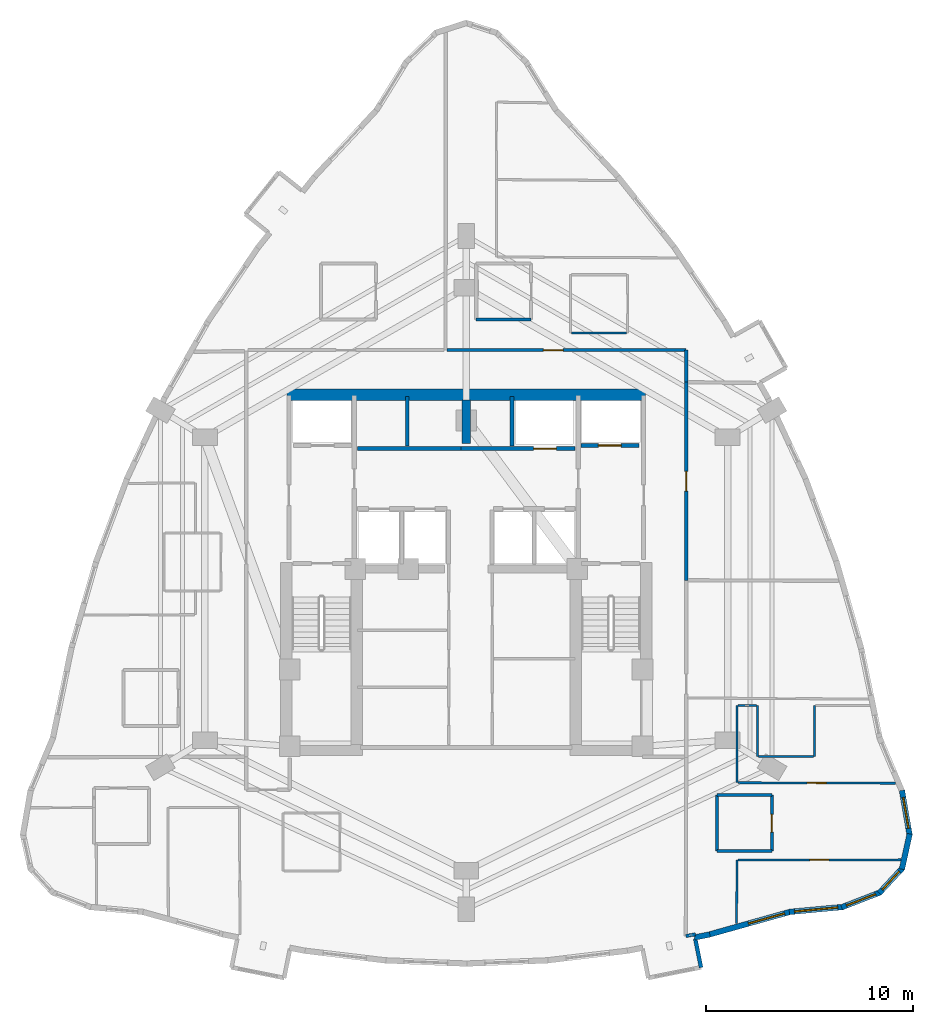
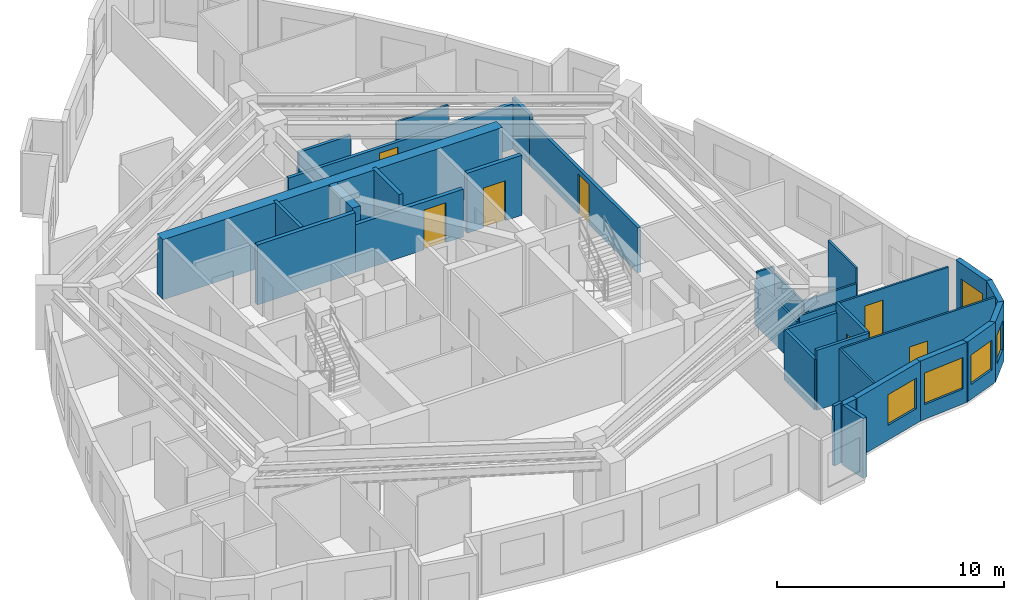
# One storey, part 8 of 11: 33 walls, 7 doors, 5 windows, 12 openings.
"""IFC4 building model written with IfcOpenShell, lengths in metres."""

from ifc_helpers import new_model, si_unit, direction, frame, frame_2d, origin, place, context, subcontext, project, spatial, rectangle, extrude, material, layer, layer_set, type_object, element, fill, save


model = new_model("IFC4")

# Units and contexts
model_context = context("Model", 3, precision=1e-05, world=origin(), true_north=direction((0.0, 1.0)))
body_context = subcontext(model_context, "Body", "Model", "MODEL_VIEW")
ifc_project = project(units=[si_unit("LENGTHUNIT", "METRE"), si_unit("AREAUNIT", "SQUARE_METRE"), si_unit("VOLUMEUNIT", "CUBIC_METRE"), si_unit("PLANEANGLEUNIT", "RADIAN"), si_unit("MASSUNIT", "GRAM", prefix="KILO")], contexts=[model_context])

# Site, building, storey
site_placement = place(None, origin())
site = spatial("IfcSite", under=ifc_project, at=site_placement, CompositionType="ELEMENT")
building_placement = place(site_placement, origin())
building = spatial("IfcBuilding", under=site, at=building_placement, Name="Miruveldt Soraemaru", CompositionType="ELEMENT")
storey_placement = place(building_placement, frame((0.0, 0.0, 156.39990234375)))
storey = spatial("IfcBuildingStorey", under=building, at=storey_placement, Name="L43", CompositionType="ELEMENT", Elevation=156.39990234375)

# Walls
ifc_material_1 = material(Name="White powder-coated aluminium EN AW-6060 T6", Category="aluminium")
ifc_layer_1 = layer(ifc_material_1, 0.18994140625, Name="White powder-coated aluminium EN AW-6060 T6", Category="aluminium")
ifc_layer_set_1 = layer_set([ifc_layer_1], Name="White powder-coated aluminium EN AW-6060 T6")
wall_type_1 = type_object("IfcWallType", Name="WALL-BAY-ALU190", PredefinedType="SOLIDWALL", material=ifc_layer_set_1)
wall_1_placement = place(storey_placement, frame((55.319091796875, 24.8408203125, 0.0), z_axis=(0.0, 0.0, 1.0), x_axis=(-0.195984352603, 0.980607022989, 0.0)))
element("IfcWall", 1, at=wall_1_placement, inside=storey, type_object=wall_type_1, Name="L43 Bay Window Side Cheek 2R", PredefinedType="SOLIDWALL", context=body_context, shape_type="SweptSolid", body=[
    extrude(rectangle(XDim=1.425048828125, YDim=0.18994140625, at=frame_2d((0.71240234375, 0.0))), origin(), (0.0, 0.0, 1.0), 3.235107421875),
])
ifc_material_2 = material(Name="Concrete C70/85 (70 MPa)", Category="concrete")
ifc_layer_2 = layer(ifc_material_2, 0.5, Name="Concrete C70/85 (70 MPa)", Category="concrete")
ifc_layer_set_2 = layer_set([ifc_layer_2], Name="Concrete C70/85 (70 MPa)")
wall_type_2 = type_object("IfcWallType", Name="WALL-BW-500", PredefinedType="SHEAR", material=ifc_layer_set_2)
wall_2_placement = place(storey_placement, frame((44.0, 50.10009765625, 0.0), z_axis=(0.0, 0.0, 1.0), x_axis=(0.0, 1.0, 0.0)))
element("IfcWall", 2, at=wall_2_placement, inside=storey, type_object=wall_type_2, Name="L43 Core Buttress Shear Wall BN", PredefinedType="SHEAR", context=body_context, shape_type="SweptSolid", body=[
    extrude(rectangle(XDim=2.099853515625, YDim=0.39990234375, at=frame_2d((1.0498046875, 0.0))), origin(), (0.0, 0.0, 1.0), 3.235107421875),
])
ifc_layer_3 = layer(ifc_material_2, 0.550048828125, Name="Concrete C70/85 (70 MPa)", Category="concrete")
ifc_layer_set_3 = layer_set([ifc_layer_3], Name="Concrete C70/85 (70 MPa)")
wall_type_3 = type_object("IfcWallType", Name="WALL-CW-550", PredefinedType="SHEAR", material=ifc_layer_set_3)
wall_3_placement = place(storey_placement, frame((35.35009765625, 52.449951171875, 0.0), z_axis=(0.0, 0.0, 1.0), x_axis=(1.0, 0.0, 0.0)))
element("IfcWall", 3, at=wall_3_placement, inside=storey, type_object=wall_type_3, Name="L43 Central Core Shear Wall N", PredefinedType="SHEAR", context=body_context, shape_type="SweptSolid", body=[
    extrude(rectangle(XDim=17.2998046875, YDim=0.550048828125, at=frame_2d((8.64990234375, 0.0))), origin(), (0.0, 0.0, 1.0), 3.235107421875),
])
ifc_material_3 = material(Name="Precast concrete C45/55 (45 MPa)", Category="concrete")
ifc_layer_4 = layer(ifc_material_3, 0.27001953125, Name="Precast concrete C45/55 (45 MPa)", Category="concrete")
ifc_layer_set_4 = layer_set([ifc_layer_4], Name="Precast concrete C45/55 (45 MPa)")
wall_type_4 = type_object("IfcWallType", Name="WALL-EXT-PC270", PredefinedType="SOLIDWALL", material=ifc_layer_set_4)
wall_4_placement = place(storey_placement, frame((54.99951171875, 26.286376953125, 0.0), z_axis=(0.0, 0.0, 1.0), x_axis=(0.980580675691, 0.196116135138, 0.0)))
element("IfcWall", 4, at=wall_4_placement, inside=storey, type_object=wall_type_4, Name="L43 Precast Pier Wall 27B", PredefinedType="SOLIDWALL", context=body_context, shape_type="SweptSolid", body=[
    extrude(rectangle(XDim=0.75439453125, YDim=0.27001953125, at=frame_2d((0.377197265625, 0.0))), origin(), (0.0, 0.0, 1.0), 3.235107421875),
])

# Wall, opening, window
wall_5_placement = place(storey_placement, frame((55.67138671875, 26.41796875, 0.0), z_axis=(0.0, 0.0, 1.0), x_axis=(0.962963404524, 0.269632122618, 0.0)))
wall_5 = element("IfcWall", 5, at=wall_5_placement, inside=storey, type_object=wall_type_4, Name="L43 Precast Concrete Facade Wall 28", PredefinedType="SOLIDWALL", context=body_context, shape_type="SweptSolid", body=[
    extrude(rectangle(XDim=4.12158203125, YDim=0.27001953125, at=frame_2d((2.060791015625, 0.0))), origin(), (0.0, 0.0, 1.0), 3.235107421875),
])
opening_1_placement = place(wall_5_placement, frame((2.008056640625, 0.0, 0.800048828125)))
opening_1 = element("IfcOpeningElement", 6, at=opening_1_placement, cuts=wall_5, Name="Opening WN-2", PredefinedType="OPENING", context=body_context, shape_type="SweptSolid", body=[
    extrude(rectangle(XDim=1.800048828125, YDim=1.64990234375, at=frame_2d((0.89990234375, 0.824951171875))), frame((0.0, 0.14501953125, 0.0), z_axis=(0.0, -1.0, 0.0), x_axis=(1.0, 0.0, 0.0)), (0.0, 0.0, 1.0), 0.2900390625),
])
ifc_material_4 = material(Name="Triple low-e insulated glazing", Category="glass")
window_type_1 = type_object("IfcWindowType", Name="WIN-PUNCH-1800x1650", PartitioningType="SINGLE_PANEL", PredefinedType="WINDOW", material=ifc_material_4)
window_1_placement = place(opening_1_placement, origin())
window_1 = element("IfcWindow", 7, at=window_1_placement, inside=storey, type_object=window_type_1, Name="L43 Punched Triple-Glazed Window 28.1", OverallHeight=1.64990234375, OverallWidth=1.800048828125, PartitioningType="SINGLE_PANEL", PredefinedType="WINDOW", context=body_context, shape_type="SweptSolid", body=[
    extrude(rectangle(XDim=1.800048828125, YDim=1.64990234375, at=frame_2d((0.89990234375, 0.824951171875))), frame((0.0, 0.030029296875, 0.0), z_axis=(0.0, -1.0, 0.0), x_axis=(1.0, 0.0, 0.0)), (0.0, 0.0, 1.0), 0.06005859375),
])
fill(opening_1, window_1)

wall_6_placement = place(storey_placement, frame((59.57177734375, 27.5166015625, 0.0), z_axis=(0.0, 0.0, 1.0), x_axis=(0.99576139122, 0.091974190706, 0.0)))
wall_6 = element("IfcWall", 8, at=wall_6_placement, inside=storey, type_object=wall_type_4, Name="L43 Precast Concrete Facade Wall 29", PredefinedType="SOLIDWALL", context=body_context, shape_type="SweptSolid", body=[
    extrude(rectangle(XDim=2.601318359375, YDim=0.27001953125, at=frame_2d((1.30078125, 0.0))), origin(), (0.0, 0.0, 1.0), 3.235107421875),
])
opening_2_placement = place(wall_6_placement, frame((0.2509765625, 0.0, 0.800048828125)))
opening_2 = element("IfcOpeningElement", 9, at=opening_2_placement, cuts=wall_6, Name="Opening WN-1", PredefinedType="OPENING", context=body_context, shape_type="SweptSolid", body=[
    extrude(rectangle(XDim=2.10009765625, YDim=1.699951171875, at=frame_2d((1.050048828125, 0.85009765625))), frame((0.0, 0.14501953125, 0.0), z_axis=(0.0, -1.0, 0.0), x_axis=(1.0, 0.0, 0.0)), (0.0, 0.0, 1.0), 0.2900390625),
])
window_type_2 = type_object("IfcWindowType", Name="WIN-PUNCH-2100x1700", PartitioningType="SINGLE_PANEL", PredefinedType="WINDOW", material=ifc_material_4)
window_2_placement = place(opening_2_placement, origin())
window_2 = element("IfcWindow", 10, at=window_2_placement, inside=storey, type_object=window_type_2, Name="L43 Punched Triple-Glazed Window 29.1", OverallHeight=1.699951171875, OverallWidth=2.10009765625, PartitioningType="SINGLE_PANEL", PredefinedType="WINDOW", context=body_context, shape_type="SweptSolid", body=[
    extrude(rectangle(XDim=2.10009765625, YDim=1.699951171875, at=frame_2d((1.050048828125, 0.85009765625))), frame((0.0, 0.030029296875, 0.0), z_axis=(0.0, -1.0, 0.0), x_axis=(1.0, 0.0, 0.0)), (0.0, 0.0, 1.0), 0.06005859375),
])
fill(opening_2, window_2)

wall_7_placement = place(storey_placement, frame((62.0947265625, 27.739990234375, 0.0), z_axis=(0.0, 0.0, 1.0), x_axis=(0.932288278252, 0.361716140411, 0.0)))
wall_7 = element("IfcWall", 11, at=wall_7_placement, inside=storey, type_object=wall_type_4, Name="L43 Precast Concrete Facade Wall 30", PredefinedType="SOLIDWALL", context=body_context, shape_type="SweptSolid", body=[
    extrude(rectangle(XDim=2.001220703125, YDim=0.27001953125, at=frame_2d((1.00048828125, 0.0))), origin(), (0.0, 0.0, 1.0), 3.235107421875),
])
opening_3_placement = place(wall_7_placement, frame((0.25, 0.0, 0.800048828125)))
opening_3 = element("IfcOpeningElement", 12, at=opening_3_placement, cuts=wall_7, Name="Opening WN-3", PredefinedType="OPENING", context=body_context, shape_type="SweptSolid", body=[
    extrude(rectangle(XDim=1.5, YDim=1.60009765625, at=frame_2d((0.75, 0.800048828125))), frame((0.0, 0.14501953125, 0.0), z_axis=(0.0, -1.0, 0.0), x_axis=(1.0, 0.0, 0.0)), (0.0, 0.0, 1.0), 0.2900390625),
])
window_type_3 = type_object("IfcWindowType", Name="WIN-PUNCH-1500x1600", PartitioningType="SINGLE_PANEL", PredefinedType="WINDOW", material=ifc_material_4)
window_3_placement = place(opening_3_placement, origin())
window_3 = element("IfcWindow", 13, at=window_3_placement, inside=storey, type_object=window_type_3, Name="L43 Punched Triple-Glazed Window 30.1", OverallHeight=1.60009765625, OverallWidth=1.5, PartitioningType="SINGLE_PANEL", PredefinedType="WINDOW", context=body_context, shape_type="SweptSolid", body=[
    extrude(rectangle(XDim=1.5, YDim=1.60009765625, at=frame_2d((0.75, 0.800048828125))), frame((0.0, 0.030029296875, 0.0), z_axis=(0.0, -1.0, 0.0), x_axis=(1.0, 0.0, 0.0)), (0.0, 0.0, 1.0), 0.06005859375),
])
fill(opening_3, window_3)

wall_8_placement = place(storey_placement, frame((63.904052734375, 28.425537109375, 0.0), z_axis=(0.0, 0.0, 1.0), x_axis=(0.680185643982, 0.733039896404, 0.0)))
wall_8 = element("IfcWall", 14, at=wall_8_placement, inside=storey, type_object=wall_type_4, Name="L43 Precast Concrete Facade Wall 31", PredefinedType="SOLIDWALL", context=body_context, shape_type="SweptSolid", body=[
    extrude(rectangle(XDim=1.658203125, YDim=0.27001953125, at=frame_2d((0.8291015625, 0.0))), origin(), (0.0, 0.0, 1.0), 3.235107421875),
])
opening_4_placement = place(wall_8_placement, frame((0.22412109375, 0.0, 0.780029296875)))
opening_4 = element("IfcOpeningElement", 15, at=opening_4_placement, cuts=wall_8, Name="Opening WN-4", PredefinedType="OPENING", context=body_context, shape_type="SweptSolid", body=[
    extrude(rectangle(XDim=1.199951171875, YDim=1.550048828125, at=frame_2d((0.60009765625, 0.77490234375))), frame((0.0, 0.14501953125, 0.0), z_axis=(0.0, -1.0, 0.0), x_axis=(1.0, 0.0, 0.0)), (0.0, 0.0, 1.0), 0.2900390625),
])
window_type_4 = type_object("IfcWindowType", Name="WIN-PUNCH-1200x1550", PartitioningType="SINGLE_PANEL", PredefinedType="WINDOW", material=ifc_material_4)
window_4_placement = place(opening_4_placement, origin())
window_4 = element("IfcWindow", 16, at=window_4_placement, inside=storey, type_object=window_type_4, Name="L43 Punched Triple-Glazed Window 31.1", OverallHeight=1.550048828125, OverallWidth=1.199951171875, PartitioningType="SINGLE_PANEL", PredefinedType="WINDOW", context=body_context, shape_type="SweptSolid", body=[
    extrude(rectangle(XDim=1.199951171875, YDim=1.550048828125, at=frame_2d((0.60009765625, 0.77490234375))), frame((0.0, 0.030029296875, 0.0), z_axis=(0.0, -1.0, 0.0), x_axis=(1.0, 0.0, 0.0)), (0.0, 0.0, 1.0), 0.06005859375),
])
fill(opening_4, window_4)

# Wall
wall_9_placement = place(storey_placement, frame((65.00048828125, 29.581298828125, 0.0), z_axis=(0.0, 0.0, 1.0), x_axis=(0.215756106761, 0.97644728603, 0.0)))
element("IfcWall", 17, at=wall_9_placement, inside=storey, type_object=wall_type_4, Name="L43 Precast Concrete Facade Wall 32", PredefinedType="SOLIDWALL", context=body_context, shape_type="SweptSolid", body=[
    extrude(rectangle(XDim=1.7392578125, YDim=0.27001953125, at=frame_2d((0.86962890625, 0.0))), origin(), (0.0, 0.0, 1.0), 3.235107421875),
])

# Wall, opening, window
wall_10_placement = place(storey_placement, frame((65.3740234375, 31.2109375, 0.0), z_axis=(0.0, 0.0, 1.0), x_axis=(-0.169300112967, 0.98556454469, 0.0)))
wall_10 = element("IfcWall", 18, at=wall_10_placement, inside=storey, type_object=wall_type_4, Name="L43 Precast Concrete Facade Wall 33", PredefinedType="SOLIDWALL", context=body_context, shape_type="SweptSolid", body=[
    extrude(rectangle(XDim=2.1962890625, YDim=0.27001953125, at=frame_2d((1.09814453125, 0.0))), origin(), (0.0, 0.0, 1.0), 3.235107421875),
])
opening_5_placement = place(wall_10_placement, frame((0.347900390625, 0.0, 0.800048828125)))
opening_5 = element("IfcOpeningElement", 19, at=opening_5_placement, cuts=wall_10, Name="Opening WN-3", PredefinedType="OPENING", context=body_context, shape_type="SweptSolid", body=[
    extrude(rectangle(XDim=1.5, YDim=1.60009765625, at=frame_2d((0.75, 0.800048828125))), frame((0.0, 0.14501953125, 0.0), z_axis=(0.0, -1.0, 0.0), x_axis=(1.0, 0.0, 0.0)), (0.0, 0.0, 1.0), 0.2900390625),
])
window_5_placement = place(opening_5_placement, origin())
window_5 = element("IfcWindow", 20, at=window_5_placement, inside=storey, type_object=window_type_3, Name="L43 Punched Triple-Glazed Window 33.1", OverallHeight=1.60009765625, OverallWidth=1.5, PartitioningType="SINGLE_PANEL", PredefinedType="WINDOW", context=body_context, shape_type="SweptSolid", body=[
    extrude(rectangle(XDim=1.5, YDim=1.60009765625, at=frame_2d((0.75, 0.800048828125))), frame((0.0, 0.030029296875, 0.0), z_axis=(0.0, -1.0, 0.0), x_axis=(1.0, 0.0, 0.0)), (0.0, 0.0, 1.0), 0.06005859375),
])
fill(opening_5, window_5)

# Wall, opening, door
ifc_material_5 = material(Name="Gypsum plasterboard lining", Category="gypsum")
ifc_layer_5 = layer(ifc_material_5, 0.10009765625, Name="Gypsum plasterboard lining", Category="gypsum")
ifc_layer_set_5 = layer_set([ifc_layer_5], Name="Gypsum plasterboard lining")
wall_type_5 = type_object("IfcWallType", Name="WALL-INT-P100", PredefinedType="PARTITIONING", material=ifc_layer_set_5)
wall_11_placement = place(storey_placement, frame((57.10009765625, 30.01708984375, 0.0), z_axis=(0.0, 0.0, 1.0), x_axis=(0.999998199017, 0.001897884015, 0.0)))
wall_11 = element("IfcWall", 21, at=wall_11_placement, inside=storey, type_object=wall_type_5, Name="L43 Partition Wall 53", PredefinedType="PARTITIONING", context=body_context, shape_type="SweptSolid", body=[
    extrude(rectangle(XDim=7.846923828125, YDim=0.10009765625, at=frame_2d((3.92333984375, 0.0))), origin(), (0.0, 0.0, 1.0), 3.235107421875),
])
opening_6_placement = place(wall_11_placement, frame((3.464111328125, 0.0, 0.0)))
opening_6 = element("IfcOpeningElement", 22, at=opening_6_placement, cuts=wall_11, Name="Opening D3A", PredefinedType="OPENING", context=body_context, shape_type="SweptSolid", body=[
    extrude(rectangle(XDim=0.919921875, YDim=2.10009765625, at=frame_2d((0.4599609375, 1.050048828125))), frame((0.0, 0.06005859375, 0.0), z_axis=(0.0, -1.0, 0.0), x_axis=(1.0, 0.0, 0.0)), (0.0, 0.0, 1.0), 0.1201171875),
])
ifc_material_6 = material(Name="Anodised aluminium EN AW-6063 T6", Category="aluminium")
door_type_1 = type_object("IfcDoorType", Name="DOOR-INT-920", OperationType="NOTDEFINED", PredefinedType="DOOR", material=ifc_material_6)
door_1_placement = place(opening_6_placement, origin())
door_1 = element("IfcDoor", 23, at=door_1_placement, inside=storey, type_object=door_type_1, Name="L43 Unit 4305 BD1 Door", OperationType="SINGLE_SWING_LEFT", OverallHeight=2.10009765625, OverallWidth=0.919921875, PredefinedType="DOOR", context=body_context, shape_type="SweptSolid", body=[
    extrude(rectangle(XDim=0.919921875, YDim=2.10009765625, at=frame_2d((0.4599609375, 1.050048828125))), frame((0.0, 0.02490234375, 0.0), z_axis=(0.0, -1.0, 0.0), x_axis=(1.0, 0.0, 0.0)), (0.0, 0.0, 1.0), 0.050048828125),
])
fill(opening_6, door_1)

wall_12_placement = place(storey_placement, frame((64.68603515625, 33.719970703125, 0.0), z_axis=(0.0, 0.0, 1.0), x_axis=(-0.999993619226, 0.0035723253, 0.0)))
wall_12 = element("IfcWall", 24, at=wall_12_placement, inside=storey, type_object=wall_type_5, Name="L43 Partition Wall 54", PredefinedType="PARTITIONING", context=body_context, shape_type="SweptSolid", body=[
    extrude(rectangle(XDim=7.5859375, YDim=0.10009765625, at=frame_2d((3.79296875, 0.0))), origin(), (0.0, 0.0, 1.0), 2.72314453125),
])
opening_7_placement = place(wall_12_placement, frame((3.3330078125, 0.0, 0.0)))
opening_7 = element("IfcOpeningElement", 25, at=opening_7_placement, cuts=wall_12, Name="Opening D3A", PredefinedType="OPENING", context=body_context, shape_type="SweptSolid", body=[
    extrude(rectangle(XDim=0.919921875, YDim=2.10009765625, at=frame_2d((0.4599609375, 1.050048828125))), frame((0.0, 0.06005859375, 0.0), z_axis=(0.0, -1.0, 0.0), x_axis=(1.0, 0.0, 0.0)), (0.0, 0.0, 1.0), 0.1201171875),
])
door_2_placement = place(opening_7_placement, origin())
door_2 = element("IfcDoor", 26, at=door_2_placement, inside=storey, type_object=door_type_1, Name="L43 Unit 4305 EXT Door", OperationType="SINGLE_SWING_RIGHT", OverallHeight=2.10009765625, OverallWidth=0.919921875, PredefinedType="DOOR", context=body_context, shape_type="SweptSolid", body=[
    extrude(rectangle(XDim=0.919921875, YDim=2.10009765625, at=frame_2d((0.4599609375, 1.050048828125))), frame((0.0, 0.02490234375, 0.0), z_axis=(0.0, -1.0, 0.0), x_axis=(1.0, 0.0, 0.0)), (0.0, 0.0, 1.0), 0.050048828125),
])
fill(opening_7, door_2)

# Walls
wall_13_placement = place(storey_placement, frame((57.050048828125, 33.7470703125, 0.0), z_axis=(0.0, 0.0, 1.0), x_axis=(0.0, 1.0, 0.0)))
element("IfcWall", 27, at=wall_13_placement, inside=storey, type_object=wall_type_5, Name="L43 Partition Wall 55", PredefinedType="PARTITIONING", context=body_context, shape_type="SweptSolid", body=[
    extrude(rectangle(XDim=3.72900390625, YDim=0.10009765625, at=frame_2d((1.864501953125, 0.0))), origin(), (0.0, 0.0, 1.0), 2.423095703125),
])
wall_14_placement = place(storey_placement, frame((57.031005859375, 26.9541015625, 0.0), z_axis=(0.0, 0.0, 1.0), x_axis=(0.006217000844, 0.999980674264, 0.0)))
element("IfcWall", 28, at=wall_14_placement, inside=storey, type_object=wall_type_5, Name="L43 Partition Wall 52", PredefinedType="PARTITIONING", context=body_context, shape_type="SweptSolid", body=[
    extrude(rectangle(XDim=3.06298828125, YDim=0.10009765625, at=frame_2d((1.531494140625, 0.0))), origin(), (0.0, 0.0, 1.0), 3.235107421875),
])
wall_15_placement = place(storey_placement, frame((49.0810546875, 55.429931640625, 0.0), z_axis=(0.0, 0.0, 1.0), x_axis=(1.0, 0.0, 0.0)))
element("IfcWall", 29, at=wall_15_placement, inside=storey, type_object=wall_type_5, Name="L43 Partition Wall 24", PredefinedType="PARTITIONING", context=body_context, shape_type="SweptSolid", body=[
    extrude(rectangle(XDim=2.64990234375, YDim=0.10009765625, at=frame_2d((1.324951171875, 0.0))), origin(), (0.0, 0.0, 1.0), 2.822998046875),
])
wall_16_placement = place(storey_placement, frame((58.080078125, 35.010009765625, 0.0), z_axis=(0.0, 0.0, 1.0), x_axis=(1.0, 0.0, 0.0)))
element("IfcWall", 30, at=wall_16_placement, inside=storey, type_object=wall_type_5, Name="L43 Partition Wall 60", PredefinedType="PARTITIONING", context=body_context, shape_type="SweptSolid", body=[
    extrude(rectangle(XDim=2.64990234375, YDim=0.10009765625, at=frame_2d((1.324951171875, 0.0))), origin(), (0.0, 0.0, 1.0), 2.423095703125),
])
wall_17_placement = place(storey_placement, frame((58.030029296875, 37.47607421875, 0.0), z_axis=(0.0, 0.0, 1.0), x_axis=(0.0, -1.0, 0.0)))
element("IfcWall", 31, at=wall_17_placement, inside=storey, type_object=wall_type_5, Name="L43 Partition Wall 59", PredefinedType="PARTITIONING", context=body_context, shape_type="SweptSolid", body=[
    extrude(rectangle(XDim=2.466064453125, YDim=0.10009765625, at=frame_2d((1.23291015625, 0.0))), origin(), (0.0, 0.0, 1.0), 2.423095703125),
])
wall_18_placement = place(storey_placement, frame((60.780029296875, 35.010009765625, 0.0), z_axis=(0.0, 0.0, 1.0), x_axis=(0.0, 1.0, 0.0)))
element("IfcWall", 32, at=wall_18_placement, inside=storey, type_object=wall_type_5, Name="L43 Partition Wall 61", PredefinedType="PARTITIONING", context=body_context, shape_type="SweptSolid", body=[
    extrude(rectangle(XDim=2.466064453125, YDim=0.10009765625, at=frame_2d((1.23291015625, 0.0))), origin(), (0.0, 0.0, 1.0), 3.235107421875),
])
wall_19_placement = place(storey_placement, frame((57.10009765625, 37.47607421875, 0.0), z_axis=(0.0, 0.0, 1.0), x_axis=(1.0, 0.0, 0.0)))
element("IfcWall", 33, at=wall_19_placement, inside=storey, type_object=wall_type_5, Name="L43 Partition Wall 56", PredefinedType="PARTITIONING", context=body_context, shape_type="SweptSolid", body=[
    extrude(rectangle(XDim=0.8798828125, YDim=0.10009765625, at=frame_2d((0.43994140625, 0.0))), origin(), (0.0, 0.0, 1.0), 2.822998046875),
])

# Wall, opening, door
ifc_layer_6 = layer(ifc_material_5, 0.14990234375, Name="Gypsum plasterboard lining", Category="gypsum")
ifc_layer_set_6 = layer_set([ifc_layer_6], Name="Gypsum plasterboard lining")
wall_type_6 = type_object("IfcWallType", Name="WALL-INT-PLUMB", PredefinedType="PLUMBINGWALL", material=ifc_layer_set_6)
wall_20_placement = place(storey_placement, frame((58.72998046875, 30.4599609375, 0.0), z_axis=(0.0, 0.0, 1.0), x_axis=(0.0, 1.0, 0.0)))
wall_20 = element("IfcWall", 34, at=wall_20_placement, inside=storey, type_object=wall_type_6, Name="L43 Partition Wall 47", PredefinedType="PLUMBINGWALL", context=body_context, shape_type="SweptSolid", body=[
    extrude(rectangle(XDim=2.699951171875, YDim=0.14990234375, at=frame_2d((1.35009765625, 0.0))), origin(), (0.0, 0.0, 1.0), 3.235107421875),
])
opening_8_placement = place(wall_20_placement, frame((0.909912109375, 0.0, 0.0)))
opening_8 = element("IfcOpeningElement", 35, at=opening_8_placement, cuts=wall_20, Name="Opening FD3", PredefinedType="OPENING", context=body_context, shape_type="SweptSolid", body=[
    extrude(rectangle(XDim=0.85009765625, YDim=2.10009765625, at=frame_2d((0.425048828125, 1.050048828125))), frame((0.0, 0.0849609375, 0.0), z_axis=(0.0, -1.0, 0.0), x_axis=(1.0, 0.0, 0.0)), (0.0, 0.0, 1.0), 0.169921875),
])
door_type_2 = type_object("IfcDoorType", Name="DOOR-FD3-850", OperationType="NOTDEFINED", PredefinedType="DOOR", material=ifc_material_6)
door_3_placement = place(opening_8_placement, origin())
door_3 = element("IfcDoor", 36, at=door_3_placement, inside=storey, type_object=door_type_2, Name="L43 Unit 4305 BTH Door", OperationType="SINGLE_SWING_LEFT", OverallHeight=2.10009765625, OverallWidth=0.85009765625, PredefinedType="DOOR", context=body_context, shape_type="SweptSolid", body=[
    extrude(rectangle(XDim=0.85009765625, YDim=2.10009765625, at=frame_2d((0.425048828125, 1.050048828125))), frame((0.0, 0.02490234375, 0.0), z_axis=(0.0, -1.0, 0.0), x_axis=(1.0, 0.0, 0.0)), (0.0, 0.0, 1.0), 0.050048828125),
])
fill(opening_8, door_3)

# Walls
wall_21_placement = place(storey_placement, frame((56.080078125, 33.159912109375, 0.0), z_axis=(0.0, 0.0, 1.0), x_axis=(0.0, -1.0, 0.0)))
element("IfcWall", 37, at=wall_21_placement, inside=storey, type_object=wall_type_6, Name="L43 Partition Wall 49", PredefinedType="PLUMBINGWALL", context=body_context, shape_type="SweptSolid", body=[
    extrude(rectangle(XDim=2.699951171875, YDim=0.14990234375, at=frame_2d((1.35009765625, 0.0))), origin(), (0.0, 0.0, 1.0), 2.72314453125),
])
wall_22_placement = place(storey_placement, frame((44.48095703125, 56.080078125, 0.0), z_axis=(0.0, 0.0, 1.0), x_axis=(1.0, 0.0, 0.0)))
element("IfcWall", 38, at=wall_22_placement, inside=storey, type_object=wall_type_6, Name="L43 Partition Wall 20", PredefinedType="PLUMBINGWALL", context=body_context, shape_type="SweptSolid", body=[
    extrude(rectangle(XDim=2.650146484375, YDim=0.14990234375, at=frame_2d((1.3251953125, 0.0))), origin(), (0.0, 0.0, 1.0), 2.423095703125),
])
wall_23_placement = place(storey_placement, frame((58.72998046875, 33.159912109375, 0.0), z_axis=(0.0, 0.0, 1.0), x_axis=(-1.0, 0.0, 0.0)))
element("IfcWall", 39, at=wall_23_placement, inside=storey, type_object=wall_type_6, Name="L43 Partition Wall 48", PredefinedType="PLUMBINGWALL", context=body_context, shape_type="SweptSolid", body=[
    extrude(rectangle(XDim=2.64990234375, YDim=0.14990234375, at=frame_2d((1.324951171875, 0.0))), origin(), (0.0, 0.0, 1.0), 2.72314453125),
])
wall_24_placement = place(storey_placement, frame((56.080078125, 30.4599609375, 0.0), z_axis=(0.0, 0.0, 1.0), x_axis=(1.0, 0.0, 0.0)))
element("IfcWall", 40, at=wall_24_placement, inside=storey, type_object=wall_type_6, Name="L43 Partition Wall 50", PredefinedType="PLUMBINGWALL", context=body_context, shape_type="SweptSolid", body=[
    extrude(rectangle(XDim=2.64990234375, YDim=0.14990234375, at=frame_2d((1.324951171875, 0.0))), origin(), (0.0, 0.0, 1.0), 3.235107421875),
])

# Wall, opening, door
ifc_material_7 = material(Name="Concrete C40/50 (40 MPa)", Category="concrete")
ifc_layer_7 = layer(ifc_material_7, 0.159912109375, Name="Concrete C40/50 (40 MPa)", Category="concrete")
ifc_layer_set_7 = layer_set([ifc_layer_7], Name="Concrete C40/50 (40 MPa)")
wall_type_7 = type_object("IfcWallType", Name="WALL-INT-RC160", PredefinedType="SOLIDWALL", material=ifc_layer_set_7)
wall_25_placement = place(storey_placement, frame((54.60009765625, 54.60009765625, 0.0), z_axis=(0.0, 0.0, 1.0), x_axis=(-1.0, 0.0, 0.0)))
wall_25 = element("IfcWall", 41, at=wall_25_placement, inside=storey, type_object=wall_type_7, Name="L43 Partition Wall 3", PredefinedType="SOLIDWALL", context=body_context, shape_type="SweptSolid", body=[
    extrude(rectangle(XDim=11.51708984375, YDim=0.159912109375, at=frame_2d((5.758544921875, 0.0))), origin(), (0.0, 0.0, 1.0), 2.423095703125),
])
opening_9_placement = place(wall_25_placement, frame((5.93408203125, 0.0, 0.0)))
opening_9 = element("IfcOpeningElement", 42, at=opening_9_placement, cuts=wall_25, Name="Opening FD2", PredefinedType="OPENING", context=body_context, shape_type="SweptSolid", body=[
    extrude(rectangle(XDim=0.949951171875, YDim=2.14990234375, at=frame_2d((0.47509765625, 1.074951171875))), frame((0.0, 0.08984375, 0.0), z_axis=(0.0, -1.0, 0.0), x_axis=(1.0, 0.0, 0.0)), (0.0, 0.0, 1.0), 0.179931640625),
])
door_type_3 = type_object("IfcDoorType", Name="DOOR-FD2-950", OperationType="NOTDEFINED", PredefinedType="DOOR", material=ifc_material_6)
door_4_placement = place(opening_9_placement, origin())
door_4 = element("IfcDoor", 43, at=door_4_placement, inside=storey, type_object=door_type_3, Name="L43 Unit 4302 Entrance Fire Door", OperationType="SINGLE_SWING_RIGHT", OverallHeight=2.14990234375, OverallWidth=0.949951171875, PredefinedType="DOOR", context=body_context, shape_type="SweptSolid", body=[
    extrude(rectangle(XDim=0.949951171875, YDim=2.14990234375, at=frame_2d((0.47509765625, 1.074951171875))), frame((0.0, 0.02490234375, 0.0), z_axis=(0.0, -1.0, 0.0), x_axis=(1.0, 0.0, 0.0)), (0.0, 0.0, 1.0), 0.050048828125),
])
fill(opening_9, door_4)

wall_26_placement = place(storey_placement, frame((54.60009765625, 43.5, 0.0), z_axis=(0.0, 0.0, 1.0), x_axis=(0.0, 1.0, 0.0)))
wall_26 = element("IfcWall", 44, at=wall_26_placement, inside=storey, type_object=wall_type_7, Name="L43 Partition Wall 5", PredefinedType="SOLIDWALL", context=body_context, shape_type="SweptSolid", body=[
    extrude(rectangle(XDim=9.550048828125, YDim=0.159912109375, at=frame_2d((4.77490234375, 0.0))), origin(), (0.0, 0.0, 1.0), 2.423095703125),
])
opening_10_placement = place(wall_26_placement, frame((4.300048828125, 0.0, 0.0)))
opening_10 = element("IfcOpeningElement", 45, at=opening_10_placement, cuts=wall_26, Name="Opening FD2", PredefinedType="OPENING", context=body_context, shape_type="SweptSolid", body=[
    extrude(rectangle(XDim=0.949951171875, YDim=2.14990234375, at=frame_2d((0.47509765625, 1.074951171875))), frame((0.0, 0.08984375, 0.0), z_axis=(0.0, -1.0, 0.0), x_axis=(1.0, 0.0, 0.0)), (0.0, 0.0, 1.0), 0.179931640625),
])
door_5_placement = place(opening_10_placement, origin())
door_5 = element("IfcDoor", 46, at=door_5_placement, inside=storey, type_object=door_type_3, Name="L43 Unit CL04 Entrance Fire Door", OperationType="SINGLE_SWING_LEFT", OverallHeight=2.14990234375, OverallWidth=0.949951171875, PredefinedType="DOOR", context=body_context, shape_type="SweptSolid", body=[
    extrude(rectangle(XDim=0.949951171875, YDim=2.14990234375, at=frame_2d((0.47509765625, 1.074951171875))), frame((0.0, 0.02490234375, 0.0), z_axis=(0.0, -1.0, 0.0), x_axis=(1.0, 0.0, 0.0)), (0.0, 0.0, 1.0), 0.050048828125),
])
fill(opening_10, door_5)

# Walls
wall_27_placement = place(storey_placement, frame((41.14990234375, 49.97998046875, 0.0), z_axis=(0.0, 0.0, 1.0), x_axis=(0.0, 1.0, 0.0)))
element("IfcWall", 47, at=wall_27_placement, inside=storey, type_object=wall_type_7, Name="L43 Core Compartment Wall PLH-DIV1", PredefinedType="SOLIDWALL", context=body_context, shape_type="SweptSolid", body=[
    extrude(rectangle(XDim=2.3701171875, YDim=0.159912109375, at=frame_2d((1.18505859375, 0.0))), origin(), (0.0, 0.0, 1.0), 3.235107421875),
])
wall_28_placement = place(storey_placement, frame((54.60009765625, 53.052978515625, 0.0), z_axis=(0.0, 0.0, 1.0), x_axis=(0.0, 1.0, 0.0)))
element("IfcWall", 48, at=wall_28_placement, inside=storey, type_object=wall_type_7, Name="L43 Partition Wall 2", PredefinedType="SOLIDWALL", context=body_context, shape_type="SweptSolid", body=[
    extrude(rectangle(XDim=1.547119140625, YDim=0.159912109375, at=frame_2d((0.7734375, 0.0))), origin(), (0.0, 0.0, 1.0), 2.72314453125),
])
wall_29_placement = place(storey_placement, frame((54.5869140625, 26.35693359375, 0.0), z_axis=(0.0, 0.0, 1.0), x_axis=(0.98347749977, 0.181030404757, 0.0)))
element("IfcWall", 49, at=wall_29_placement, inside=storey, type_object=wall_type_7, Name="L43 Partition Closure Return 1", PredefinedType="SOLIDWALL", context=body_context, shape_type="SweptSolid", body=[
    extrude(rectangle(XDim=0.470703125, YDim=0.159912109375, at=frame_2d((0.2353515625, 0.0))), origin(), (0.0, 0.0, 1.0), 3.235107421875),
])

# Wall, opening, door
ifc_layer_8 = layer(ifc_material_7, 0.199951171875, Name="Concrete C40/50 (40 MPa)", Category="concrete")
ifc_layer_set_8 = layer_set([ifc_layer_8], Name="Concrete C40/50 (40 MPa)")
wall_type_8 = type_object("IfcWallType", Name="WALL-INT-RC200", PredefinedType="SOLIDWALL", material=ifc_layer_set_8)
wall_30_placement = place(storey_placement, frame((43.75, 49.85009765625, 0.0), z_axis=(0.0, 0.0, 1.0), x_axis=(1.0, 0.0, 0.0)))
wall_30 = element("IfcWall", 50, at=wall_30_placement, inside=storey, type_object=wall_type_8, Name="L43 Core Compartment Wall ROWA-SE", PredefinedType="SOLIDWALL", context=body_context, shape_type="SweptSolid", body=[
    extrude(rectangle(XDim=5.5, YDim=0.199951171875, at=frame_2d((2.75, 0.0))), origin(), (0.0, 0.0, 1.0), 2.572998046875),
])
opening_11_placement = place(wall_30_placement, frame((3.5, 0.0, 0.0)))
opening_11 = element("IfcOpeningElement", 51, at=opening_11_placement, cuts=wall_30, Name="Opening LD2", PredefinedType="OPENING", context=body_context, shape_type="SweptSolid", body=[
    extrude(rectangle(XDim=1.10009765625, YDim=2.14990234375, at=frame_2d((0.550048828125, 1.074951171875))), frame((0.0, 0.10986328125, 0.0), z_axis=(0.0, -1.0, 0.0), x_axis=(1.0, 0.0, 0.0)), (0.0, 0.0, 1.0), 0.219970703125),
])
door_type_4 = type_object("IfcDoorType", Name="DOOR-LD2-1100", OperationType="SLIDING_TO_LEFT", PredefinedType="DOOR", material=ifc_material_6)
door_6_placement = place(opening_11_placement, origin())
door_6 = element("IfcDoor", 52, at=door_6_placement, inside=storey, type_object=door_type_4, Name="L43 SL-1 Landing Door", OperationType="SLIDING_TO_LEFT", OverallHeight=2.14990234375, OverallWidth=1.10009765625, PredefinedType="DOOR", context=body_context, shape_type="SweptSolid", body=[
    extrude(rectangle(XDim=1.10009765625, YDim=2.14990234375, at=frame_2d((0.550048828125, 1.074951171875))), frame((0.0, 0.02490234375, 0.0), z_axis=(0.0, -1.0, 0.0), x_axis=(1.0, 0.0, 0.0)), (0.0, 0.0, 1.0), 0.050048828125),
])
fill(opening_11, door_6)

wall_31_placement = place(storey_placement, frame((49.52001953125, 50.0, 0.0), z_axis=(0.0, 0.0, 1.0), x_axis=(1.0, 0.0, 0.0)))
wall_31 = element("IfcWall", 53, at=wall_31_placement, inside=storey, type_object=wall_type_8, Name="L43 Core Compartment Wall FFL2-S", PredefinedType="SOLIDWALL", context=body_context, shape_type="SweptSolid", body=[
    extrude(rectangle(XDim=2.800048828125, YDim=0.199951171875, at=frame_2d((1.39990234375, 0.0))), origin(), (0.0, 0.0, 1.0), 3.235107421875),
])
opening_12_placement = place(wall_31_placement, frame((0.85009765625, 0.0, 0.0)))
opening_12 = element("IfcOpeningElement", 54, at=opening_12_placement, cuts=wall_31, Name="Opening LD2", PredefinedType="OPENING", context=body_context, shape_type="SweptSolid", body=[
    extrude(rectangle(XDim=1.10009765625, YDim=2.14990234375, at=frame_2d((0.550048828125, 1.074951171875))), frame((0.0, 0.10986328125, 0.0), z_axis=(0.0, -1.0, 0.0), x_axis=(1.0, 0.0, 0.0)), (0.0, 0.0, 1.0), 0.219970703125),
])
door_7_placement = place(opening_12_placement, origin())
door_7 = element("IfcDoor", 55, at=door_7_placement, inside=storey, type_object=door_type_4, Name="L43 FFL-2 Landing Door", OperationType="SLIDING_TO_LEFT", OverallHeight=2.14990234375, OverallWidth=1.10009765625, PredefinedType="DOOR", context=body_context, shape_type="SweptSolid", body=[
    extrude(rectangle(XDim=1.10009765625, YDim=2.14990234375, at=frame_2d((0.550048828125, 1.074951171875))), frame((0.0, 0.02490234375, 0.0), z_axis=(0.0, -1.0, 0.0), x_axis=(1.0, 0.0, 0.0)), (0.0, 0.0, 1.0), 0.050048828125),
])
fill(opening_12, door_7)

# Walls
wall_32_placement = place(storey_placement, frame((38.75, 49.85009765625, 0.0), z_axis=(0.0, 0.0, 1.0), x_axis=(1.0, 0.0, 0.0)))
element("IfcWall", 56, at=wall_32_placement, inside=storey, type_object=wall_type_8, Name="L43 Core Compartment Wall ROWA-SW", PredefinedType="SOLIDWALL", context=body_context, shape_type="SweptSolid", body=[
    extrude(rectangle(XDim=5.0, YDim=0.199951171875, at=frame_2d((2.5, 0.0))), origin(), (0.0, 0.0, 1.0), 3.235107421875),
])
wall_33_placement = place(storey_placement, frame((46.199951171875, 49.97998046875, 0.0), z_axis=(0.0, 0.0, 1.0), x_axis=(0.0, 1.0, 0.0)))
element("IfcWall", 57, at=wall_33_placement, inside=storey, type_object=wall_type_8, Name="L43 Core Compartment Wall PLH-SL-DIV", PredefinedType="SOLIDWALL", context=body_context, shape_type="SweptSolid", body=[
    extrude(rectangle(XDim=2.3701171875, YDim=0.199951171875, at=frame_2d((1.18505859375, 0.0))), origin(), (0.0, 0.0, 1.0), 3.235107421875),
])

save(model, "model.ifc")
